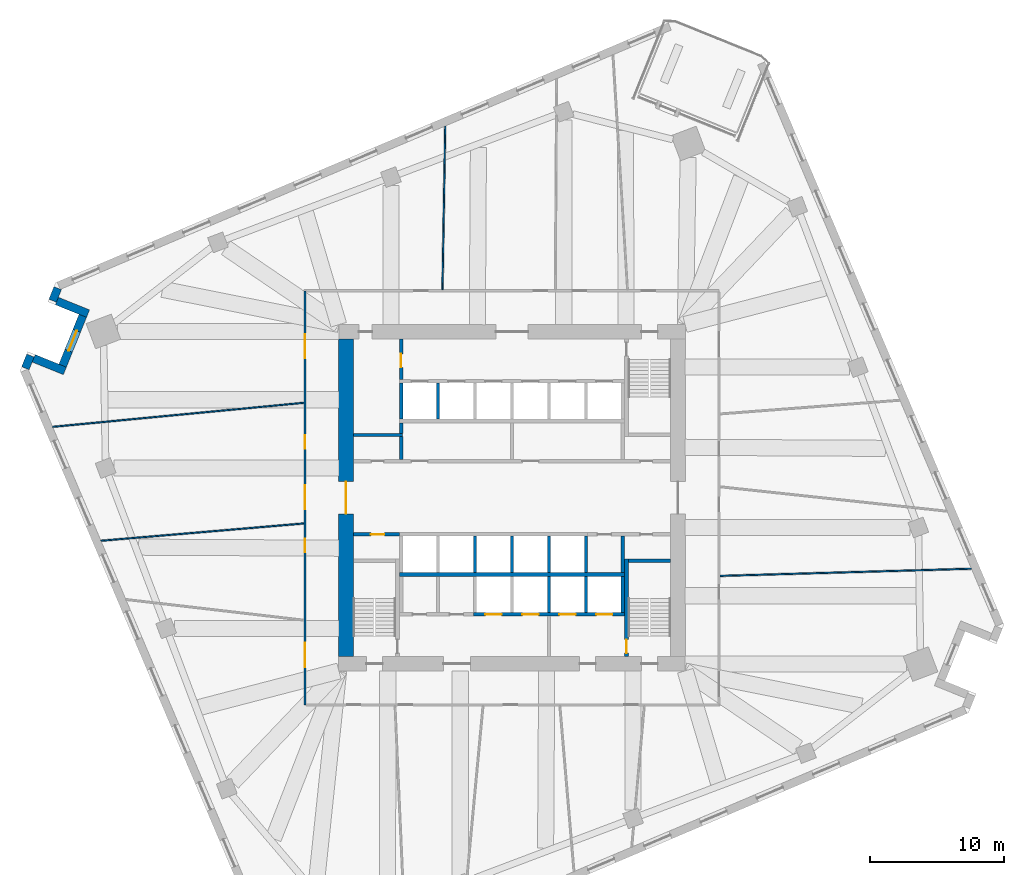
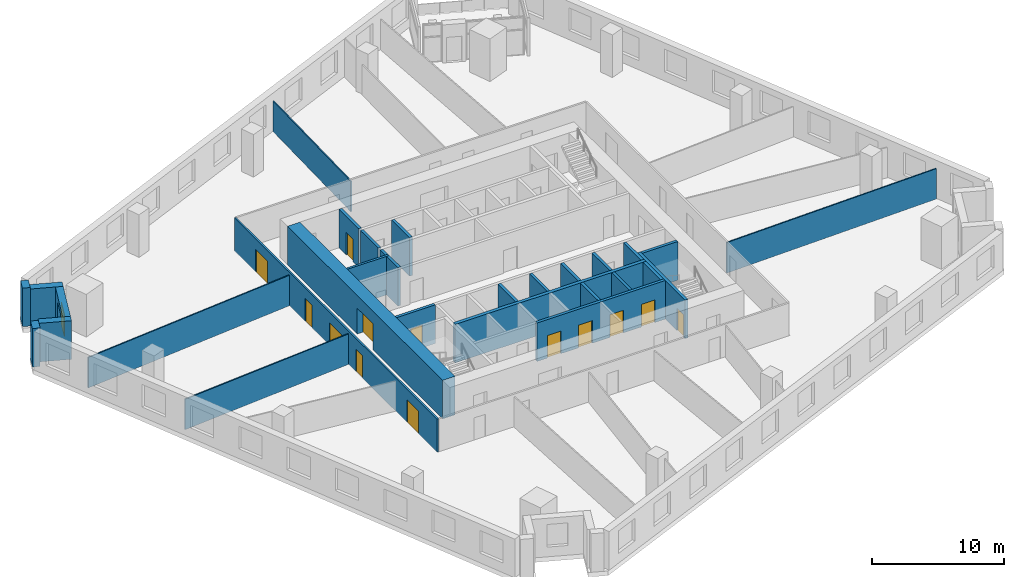
# One storey, part 7 of 12: 30 walls, 13 doors, 1 window, 14 openings.
"""IFC4 building model written with IfcOpenShell, lengths in metres."""

from ifc_helpers import new_model, si_unit, direction, frame, frame_2d, origin, place, context, subcontext, project, spatial, rectangle, extrude, material, layer, layer_set, type_object, element, fill, save


model = new_model("IFC4")

# Units and contexts
model_context = context("Model", 3, precision=1e-05, world=origin(), true_north=direction((0.0, 1.0)))
body_context = subcontext(model_context, "Body", "Model", "MODEL_VIEW")
ifc_project = project(units=[si_unit("LENGTHUNIT", "METRE"), si_unit("AREAUNIT", "SQUARE_METRE"), si_unit("VOLUMEUNIT", "CUBIC_METRE"), si_unit("PLANEANGLEUNIT", "RADIAN"), si_unit("MASSUNIT", "GRAM", prefix="KILO")], contexts=[model_context])

# Site, building, storey
site_placement = place(None, origin())
site = spatial("IfcSite", under=ifc_project, at=site_placement, CompositionType="ELEMENT")
building_placement = place(site_placement, origin())
building = spatial("IfcBuilding", under=site, at=building_placement, Name="Dilmun Exchange Tower", CompositionType="ELEMENT")
storey_placement = place(building_placement, frame((0.0, 0.0, 114.10009765625)))
storey = spatial("IfcBuildingStorey", under=building, at=storey_placement, Name="L26", CompositionType="ELEMENT", Elevation=114.10009765625)

# Walls
ifc_material_1 = material(Name="Concrete C40/50", Category="concrete")
ifc_layer_1 = layer(ifc_material_1, 0.199951171875)
ifc_layer_set_1 = layer_set([ifc_layer_1], Name="Concrete C40/50")
wall_type_1 = type_object("IfcWallType", Name="Core partition wall 200", PredefinedType="PARTITIONING", material=ifc_layer_set_1)
wall_1_placement = place(storey_placement, frame((-11.794921875, 4.675048828125, 0.0), z_axis=(0.0, 0.0, 1.0), x_axis=(1.0, 0.0, 0.0)))
element("IfcWall", 1, at=wall_1_placement, inside=storey, type_object=wall_type_1, Name="L26 core partition wall 12", PredefinedType="PARTITIONING", context=body_context, shape_type="SweptSolid", body=[
    extrude(rectangle(XDim=3.64501953125, YDim=0.199951171875, at=frame_2d((1.822509765625, 0.0))), origin(), (0.0, 0.0, 1.0), 3.579833984375),
])
ifc_layer_2 = layer(ifc_material_1, 0.25)
ifc_layer_set_2 = layer_set([ifc_layer_2], Name="Concrete C40/50")
wall_type_2 = type_object("IfcWallType", Name="Core partition wall 250", PredefinedType="PARTITIONING", material=ifc_layer_set_2)
wall_2_placement = place(storey_placement, frame((8.25, -5.544921875, 0.0), z_axis=(0.0, 0.0, 1.0), x_axis=(0.0, 1.0, 0.0)))
element("IfcWall", 2, at=wall_2_placement, inside=storey, type_object=wall_type_2, Name="L26 core partition wall 05", PredefinedType="PARTITIONING", context=body_context, shape_type="SweptSolid", body=[
    extrude(rectangle(XDim=2.68994140625, YDim=0.25, at=frame_2d((1.344970703125, 0.0))), origin(), (0.0, 0.0, 1.0), 3.579833984375),
])

# Wall, opening, door
wall_3_placement = place(storey_placement, frame((-11.794921875, -2.72509765625, 0.0), z_axis=(0.0, 0.0, 1.0), x_axis=(1.0, 0.0, 0.0)))
wall_3 = element("IfcWall", 3, at=wall_3_placement, inside=storey, type_object=wall_type_2, Name="L26 core partition wall 06", PredefinedType="PARTITIONING", context=body_context, shape_type="SweptSolid", body=[
    extrude(rectangle(XDim=3.4150390625, YDim=0.25, at=frame_2d((1.70751953125, 0.0))), origin(), (0.0, 0.0, 1.0), 3.579833984375),
])
opening_1_placement = place(wall_3_placement, frame((1.294921875, 0.0, 0.0)))
opening_1 = element("IfcOpeningElement", 4, at=opening_1_placement, cuts=wall_3, Name="Opening CD4", PredefinedType="OPENING", context=body_context, shape_type="SweptSolid", body=[
    extrude(rectangle(XDim=1.0, YDim=2.10009765625, at=frame_2d((0.5, 1.050048828125))), frame((0.0, 0.135009765625, 0.0), z_axis=(0.0, -1.0, 0.0), x_axis=(1.0, 0.0, 0.0)), (0.0, 0.0, 1.0), 0.27001953125),
])
ifc_material_2 = material(Name="Fire-rated steel door set", Category="steel")
door_type_1 = type_object("IfcDoorType", Name="Core room door 1000x2100", OperationType="SINGLE_SWING_LEFT", PredefinedType="DOOR", material=ifc_material_2)
door_1_placement = place(opening_1_placement, origin())
door_1 = element("IfcDoor", 5, at=door_1_placement, inside=storey, type_object=door_type_1, Name="L26 door Accessible WC", OperationType="SINGLE_SWING_LEFT", OverallHeight=2.10009765625, OverallWidth=1.0, PredefinedType="DOOR", context=body_context, shape_type="SweptSolid", body=[
    extrude(rectangle(XDim=1.0, YDim=2.10009765625, at=frame_2d((0.5, 1.050048828125))), frame((0.0, 0.02490234375, 0.0), z_axis=(0.0, -1.0, 0.0), x_axis=(1.0, 0.0, 0.0)), (0.0, 0.0, 1.0), 0.050048828125),
])
fill(opening_1, door_1)

# Walls
wall_4_placement = place(storey_placement, frame((-8.25, 2.85498046875, 0.0), z_axis=(0.0, 0.0, 1.0), x_axis=(0.0, 1.0, 0.0)))
element("IfcWall", 6, at=wall_4_placement, inside=storey, type_object=wall_type_2, Name="L26 core partition wall 09", PredefinedType="PARTITIONING", context=body_context, shape_type="SweptSolid", body=[
    extrude(rectangle(XDim=1.715087890625, YDim=0.25, at=frame_2d((0.857421875, 0.0))), origin(), (0.0, 0.0, 1.0), 3.579833984375),
])
wall_5_placement = place(storey_placement, frame((-8.25, 4.780029296875, 0.0), z_axis=(0.0, 0.0, 1.0), x_axis=(0.0, 1.0, 0.0)))
element("IfcWall", 7, at=wall_5_placement, inside=storey, type_object=wall_type_2, Name="L26 core partition wall 13", PredefinedType="PARTITIONING", context=body_context, shape_type="SweptSolid", body=[
    extrude(rectangle(XDim=0.764892578125, YDim=0.25, at=frame_2d((0.38232421875, 0.0))), origin(), (0.0, 0.0, 1.0), 3.579833984375),
])

# Wall, opening, door
wall_6_placement = place(storey_placement, frame((-8.25, 8.804931640625, 0.0), z_axis=(0.0, 0.0, 1.0), x_axis=(0.0, 1.0, 0.0)))
wall_6 = element("IfcWall", 8, at=wall_6_placement, inside=storey, type_object=wall_type_2, Name="L26 core partition wall 14", PredefinedType="PARTITIONING", context=body_context, shape_type="SweptSolid", body=[
    extrude(rectangle(XDim=2.989990234375, YDim=0.25, at=frame_2d((1.4951171875, 0.0))), origin(), (0.0, 0.0, 1.0), 3.579833984375),
])
opening_2_placement = place(wall_6_placement, frame((0.89501953125, 0.0, 0.0)))
opening_2 = element("IfcOpeningElement", 9, at=opening_2_placement, cuts=wall_6, Name="Opening CD4", PredefinedType="OPENING", context=body_context, shape_type="SweptSolid", body=[
    extrude(rectangle(XDim=1.0, YDim=2.10009765625, at=frame_2d((0.5, 1.050048828125))), frame((0.0, 0.135009765625, 0.0), z_axis=(0.0, -1.0, 0.0), x_axis=(1.0, 0.0, 0.0)), (0.0, 0.0, 1.0), 0.27001953125),
])
door_2_placement = place(opening_2_placement, origin())
door_2 = element("IfcDoor", 10, at=door_2_placement, inside=storey, type_object=door_type_1, Name="L26 door Building services room", OperationType="SINGLE_SWING_LEFT", OverallHeight=2.10009765625, OverallWidth=1.0, PredefinedType="DOOR", context=body_context, shape_type="SweptSolid", body=[
    extrude(rectangle(XDim=1.0, YDim=2.10009765625, at=frame_2d((0.5, 1.050048828125))), frame((0.0, 0.02490234375, 0.0), z_axis=(0.0, -1.0, 0.0), x_axis=(1.0, 0.0, 0.0)), (0.0, 0.0, 1.0), 0.050048828125),
])
fill(opening_2, door_2)

ifc_material_3 = material(Name="Concrete C80/95", Category="concrete")
ifc_layer_3 = layer(ifc_material_3, 1.10009765625)
ifc_layer_set_3 = layer_set([ifc_layer_3], Name="Concrete C80/95")
wall_type_3 = type_object("IfcWallType", Name="Core shear wall 1100 Concrete C80/95", PredefinedType="SHEAR", material=ifc_layer_set_3)
wall_7_placement = place(storey_placement, frame((-12.35009765625, -11.800048828125, 0.0), z_axis=(0.0, 0.0, 1.0), x_axis=(0.0, 1.0, 0.0)))
wall_7 = element("IfcWall", 11, at=wall_7_placement, inside=storey, type_object=wall_type_3, Name="L26 core shear wall W", PredefinedType="SHEAR", context=body_context, shape_type="SweptSolid", body=[
    extrude(rectangle(XDim=23.60009765625, YDim=1.10009765625, at=frame_2d((11.800048828125, 0.0))), origin(), (0.0, 0.0, 1.0), 3.579833984375),
])
opening_3_placement = place(wall_7_placement, frame((10.60009765625, 0.0, 0.0)))
opening_3 = element("IfcOpeningElement", 12, at=opening_3_placement, cuts=wall_7, Name="Opening CD1", PredefinedType="OPENING", context=body_context, shape_type="SweptSolid", body=[
    extrude(rectangle(XDim=2.39990234375, YDim=2.39990234375, at=frame_2d((1.199951171875, 1.199951171875))), frame((0.0, 0.56005859375, 0.0), z_axis=(0.0, -1.0, 0.0), x_axis=(1.0, 0.0, 0.0)), (0.0, 0.0, 1.0), 1.1201171875),
])
door_type_2 = type_object("IfcDoorType", Name="Core lobby door 2400x2400", OperationType="DOUBLE_DOOR_DOUBLE_SWING", PredefinedType="DOOR", material=ifc_material_2)
door_3_placement = place(opening_3_placement, origin())
door_3 = element("IfcDoor", 13, at=door_3_placement, inside=storey, type_object=door_type_2, Name="L26 door Central lift lobby", OperationType="SINGLE_SWING_LEFT", OverallHeight=2.39990234375, OverallWidth=2.39990234375, PredefinedType="DOOR", context=body_context, shape_type="SweptSolid", body=[
    extrude(rectangle(XDim=2.39990234375, YDim=2.39990234375, at=frame_2d((1.199951171875, 1.199951171875))), frame((0.0, 0.02490234375, 0.0), z_axis=(0.0, -1.0, 0.0), x_axis=(1.0, 0.0, 0.0)), (0.0, 0.0, 1.0), 0.050048828125),
])
fill(opening_3, door_3)

# Wall, openings, doors
ifc_material_4 = material(Name="Corridor wall 150")
ifc_layer_4 = layer(ifc_material_4, 0.14990234375)
ifc_layer_set_4 = layer_set([ifc_layer_4], Name="Corridor wall 150")
wall_type_4 = type_object("IfcWallType", Name="Corridor wall 150", PredefinedType="PARTITIONING", material=ifc_layer_set_4)
wall_8_placement = place(storey_placement, frame((-15.39990234375, -15.39990234375, 0.0), z_axis=(0.0, 0.0, 1.0), x_axis=(0.0, 1.0, 0.0)))
wall_8 = element("IfcWall", 14, at=wall_8_placement, inside=storey, type_object=wall_type_4, Name="Corridor wall", PredefinedType="PARTITIONING", context=body_context, shape_type="SweptSolid", body=[
    extrude(rectangle(XDim=30.7998046875, YDim=0.14990234375, at=frame_2d((15.39990234375, 0.0))), origin(), (0.0, 0.0, 1.0), 3.079833984375),
])
opening_4_placement = place(wall_8_placement, frame((14.541015625, 0.0, 0.0)))
opening_4 = element("IfcOpeningElement", 15, at=opening_4_placement, cuts=wall_8, Name="Opening TF26-D01", PredefinedType="OPENING", context=body_context, shape_type="SweptSolid", body=[
    extrude(rectangle(XDim=1.800048828125, YDim=2.10009765625, at=frame_2d((0.89990234375, 1.050048828125))), frame((0.0, 0.0849609375, 0.0), z_axis=(0.0, -1.0, 0.0), x_axis=(1.0, 0.0, 0.0)), (0.0, 0.0, 1.0), 0.169921875),
])
opening_5_placement = place(wall_8_placement, frame((19.041015625, 0.0, 0.0)))
opening_5 = element("IfcOpeningElement", 16, at=opening_5_placement, cuts=wall_8, Name="Opening TF26-D02", PredefinedType="OPENING", context=body_context, shape_type="SweptSolid", body=[
    extrude(rectangle(XDim=1.0, YDim=2.10009765625, at=frame_2d((0.5, 1.050048828125))), frame((0.0, 0.0849609375, 0.0), z_axis=(0.0, -1.0, 0.0), x_axis=(1.0, 0.0, 0.0)), (0.0, 0.0, 1.0), 0.169921875),
])
opening_6_placement = place(wall_8_placement, frame((11.33349609375, 0.0, 0.0)))
opening_6 = element("IfcOpeningElement", 17, at=opening_6_placement, cuts=wall_8, Name="Opening TF26-D03", PredefinedType="OPENING", context=body_context, shape_type="SweptSolid", body=[
    extrude(rectangle(XDim=1.0, YDim=2.10009765625, at=frame_2d((0.5, 1.050048828125))), frame((0.0, 0.0849609375, 0.0), z_axis=(0.0, -1.0, 0.0), x_axis=(1.0, 0.0, 0.0)), (0.0, 0.0, 1.0), 0.169921875),
])
opening_7_placement = place(wall_8_placement, frame((25.76953125, 0.0, 0.0)))
opening_7 = element("IfcOpeningElement", 18, at=opening_7_placement, cuts=wall_8, Name="Opening TF26-D04", PredefinedType="OPENING", context=body_context, shape_type="SweptSolid", body=[
    extrude(rectangle(XDim=1.800048828125, YDim=2.10009765625, at=frame_2d((0.89990234375, 1.050048828125))), frame((0.0, 0.0849609375, 0.0), z_axis=(0.0, -1.0, 0.0), x_axis=(1.0, 0.0, 0.0)), (0.0, 0.0, 1.0), 0.169921875),
])
opening_8_placement = place(wall_8_placement, frame((2.800048828125, 0.0, 0.0)))
opening_8 = element("IfcOpeningElement", 19, at=opening_8_placement, cuts=wall_8, Name="Opening TF26-D06", PredefinedType="OPENING", context=body_context, shape_type="SweptSolid", body=[
    extrude(rectangle(XDim=1.800048828125, YDim=2.10009765625, at=frame_2d((0.89990234375, 1.050048828125))), frame((0.0, 0.0849609375, 0.0), z_axis=(0.0, -1.0, 0.0), x_axis=(1.0, 0.0, 0.0)), (0.0, 0.0, 1.0), 0.169921875),
])
ifc_material_5 = material(Name="Fire door 1000 x 2100")
door_type_3 = type_object("IfcDoorType", Name="Fire door 1000 x 2100", OperationType="NOTDEFINED", PredefinedType="DOOR", material=ifc_material_5)
door_4_placement = place(opening_5_placement, origin())
door_4 = element("IfcDoor", 20, at=door_4_placement, inside=storey, type_object=door_type_3, Name="Door TF26-D02", OperationType="SINGLE_SWING_LEFT", OverallHeight=2.10009765625, OverallWidth=1.0, PredefinedType="DOOR", context=body_context, shape_type="SweptSolid", body=[
    extrude(rectangle(XDim=1.0, YDim=2.10009765625, at=frame_2d((0.5, 1.050048828125))), frame((0.0, 0.02490234375, 0.0), z_axis=(0.0, -1.0, 0.0), x_axis=(1.0, 0.0, 0.0)), (0.0, 0.0, 1.0), 0.050048828125),
])
fill(opening_5, door_4)
door_5_placement = place(opening_6_placement, origin())
door_5 = element("IfcDoor", 21, at=door_5_placement, inside=storey, type_object=door_type_3, Name="Door TF26-D03", OperationType="SINGLE_SWING_RIGHT", OverallHeight=2.10009765625, OverallWidth=1.0, PredefinedType="DOOR", context=body_context, shape_type="SweptSolid", body=[
    extrude(rectangle(XDim=1.0, YDim=2.10009765625, at=frame_2d((0.5, 1.050048828125))), frame((0.0, 0.02490234375, 0.0), z_axis=(0.0, -1.0, 0.0), x_axis=(1.0, 0.0, 0.0)), (0.0, 0.0, 1.0), 0.050048828125),
])
fill(opening_6, door_5)
ifc_material_6 = material(Name="Fire door pair 1800 x 2100")
door_type_4 = type_object("IfcDoorType", Name="Fire door pair 1800 x 2100", OperationType="NOTDEFINED", PredefinedType="DOOR", material=ifc_material_6)
door_6_placement = place(opening_4_placement, origin())
door_6 = element("IfcDoor", 22, at=door_6_placement, inside=storey, type_object=door_type_4, Name="Door TF26-D01", OperationType="DOUBLE_DOOR_SINGLE_SWING", OverallHeight=2.10009765625, OverallWidth=1.800048828125, PredefinedType="DOOR", context=body_context, shape_type="SweptSolid", body=[
    extrude(rectangle(XDim=1.800048828125, YDim=2.10009765625, at=frame_2d((0.89990234375, 1.050048828125))), frame((0.0, 0.02490234375, 0.0), z_axis=(0.0, -1.0, 0.0), x_axis=(1.0, 0.0, 0.0)), (0.0, 0.0, 1.0), 0.050048828125),
])
fill(opening_4, door_6)
door_7_placement = place(opening_7_placement, origin())
door_7 = element("IfcDoor", 23, at=door_7_placement, inside=storey, type_object=door_type_4, Name="Door TF26-D04", OperationType="DOUBLE_DOOR_SINGLE_SWING", OverallHeight=2.10009765625, OverallWidth=1.800048828125, PredefinedType="DOOR", context=body_context, shape_type="SweptSolid", body=[
    extrude(rectangle(XDim=1.800048828125, YDim=2.10009765625, at=frame_2d((0.89990234375, 1.050048828125))), frame((0.0, 0.02490234375, 0.0), z_axis=(0.0, -1.0, 0.0), x_axis=(1.0, 0.0, 0.0)), (0.0, 0.0, 1.0), 0.050048828125),
])
fill(opening_7, door_7)
door_8_placement = place(opening_8_placement, origin())
door_8 = element("IfcDoor", 24, at=door_8_placement, inside=storey, type_object=door_type_4, Name="Door TF26-D06", OperationType="DOUBLE_DOOR_SINGLE_SWING", OverallHeight=2.10009765625, OverallWidth=1.800048828125, PredefinedType="DOOR", context=body_context, shape_type="SweptSolid", body=[
    extrude(rectangle(XDim=1.800048828125, YDim=2.10009765625, at=frame_2d((0.89990234375, 1.050048828125))), frame((0.0, 0.02490234375, 0.0), z_axis=(0.0, -1.0, 0.0), x_axis=(1.0, 0.0, 0.0)), (0.0, 0.0, 1.0), 0.050048828125),
])
fill(opening_8, door_8)

# Walls
ifc_layer_5 = layer(ifc_material_1, 0.300048828125)
ifc_layer_set_5 = layer_set([ifc_layer_5], Name="Concrete C40/50")
wall_type_5 = type_object("IfcWallType", Name="Lift shaft shared wall 300", PredefinedType="SOLIDWALL", material=ifc_layer_set_5)
wall_9_placement = place(storey_placement, frame((-8.375, -5.699951171875, 0.0), z_axis=(0.0, 0.0, 1.0), x_axis=(1.0, 0.0, 0.0)))
element("IfcWall", 25, at=wall_9_placement, inside=storey, type_object=wall_type_5, Name="L26 lift shaft rear wall S", PredefinedType="SOLIDWALL", context=body_context, shape_type="SweptSolid", body=[
    extrude(rectangle(XDim=16.75, YDim=0.300048828125, at=frame_2d((8.375, 0.0))), origin(), (0.0, 0.0, 1.0), 3.579833984375),
])
ifc_layer_6 = layer(ifc_material_1, 0.25)
ifc_layer_set_6 = layer_set([ifc_layer_6], Name="Concrete C40/50")
wall_type_6 = type_object("IfcWallType", Name="Lift shaft wall 250", PredefinedType="SOLIDWALL", material=ifc_layer_set_6)
for number, where, z_axis, x_axis, name in (
    (26, (-8.25, 5.85009765625, 0.0), (0.0, 0.0, 1.0), (0.0, 1.0, 0.0), "L26 lift shaft divider N20"),
    (27, (-5.5, 5.85009765625, 0.0), (0.0, 0.0, 1.0), (0.0, 1.0, 0.0), "L26 lift shaft divider N21"),
    (28, (-2.75, -5.550048828125, 0.0), (0.0, 0.0, 1.0), (0.0, 1.0, 0.0), "L26 lift shaft divider S12"),
    (29, (0.0, -5.550048828125, 0.0), (0.0, 0.0, 1.0), (0.0, 1.0, 0.0), "L26 lift shaft divider S13"),
    (30, (2.75, -5.550048828125, 0.0), (0.0, 0.0, 1.0), (0.0, 1.0, 0.0), "L26 lift shaft divider S14"),
    (31, (5.5, -5.550048828125, 0.0), (0.0, 0.0, 1.0), (0.0, 1.0, 0.0), "L26 lift shaft divider S15"),
):
    element("IfcWall", number, at=place(storey_placement, frame(where, z_axis=z_axis, x_axis=x_axis)), inside=storey, type_object=wall_type_6, Name=name, PredefinedType="SOLIDWALL", context=body_context, shape_type="SweptSolid", body=[
        extrude(rectangle(XDim=2.699951171875, YDim=0.25, at=frame_2d((1.35009765625, 0.0))), origin(), (0.0, 0.0, 1.0), 3.579833984375),
    ])

# Wall, openings, doors
wall_10_placement = place(storey_placement, frame((-2.875, -8.675048828125, 0.0), z_axis=(0.0, 0.0, 1.0), x_axis=(1.0, 0.0, 0.0)))
wall_10 = element("IfcWall", 32, at=wall_10_placement, inside=storey, type_object=wall_type_6, Name="L26 lift shaft front wall S2", PredefinedType="SOLIDWALL", context=body_context, shape_type="SweptSolid", body=[
    extrude(rectangle(XDim=11.25, YDim=0.25, at=frame_2d((5.625, 0.0))), origin(), (0.0, 0.0, 1.0), 3.579833984375),
])
opening_9_placement = place(wall_10_placement, frame((0.89990234375, 0.0, 0.0)))
opening_9 = element("IfcOpeningElement", 33, at=opening_9_placement, cuts=wall_10, Name="Opening LD", PredefinedType="OPENING", context=body_context, shape_type="SweptSolid", body=[
    extrude(rectangle(XDim=1.199951171875, YDim=2.10009765625, at=frame_2d((0.60009765625, 1.050048828125))), frame((0.0, 0.135009765625, 0.0), z_axis=(0.0, -1.0, 0.0), x_axis=(1.0, 0.0, 0.0)), (0.0, 0.0, 1.0), 0.27001953125),
])
opening_10_placement = place(wall_10_placement, frame((3.64990234375, 0.0, 0.0)))
opening_10 = element("IfcOpeningElement", 34, at=opening_10_placement, cuts=wall_10, Name="Opening LD", PredefinedType="OPENING", context=body_context, shape_type="SweptSolid", body=[
    extrude(rectangle(XDim=1.199951171875, YDim=2.10009765625, at=frame_2d((0.60009765625, 1.050048828125))), frame((0.0, 0.135009765625, 0.0), z_axis=(0.0, -1.0, 0.0), x_axis=(1.0, 0.0, 0.0)), (0.0, 0.0, 1.0), 0.27001953125),
])
opening_11_placement = place(wall_10_placement, frame((6.39990234375, 0.0, 0.0)))
opening_11 = element("IfcOpeningElement", 35, at=opening_11_placement, cuts=wall_10, Name="Opening LD", PredefinedType="OPENING", context=body_context, shape_type="SweptSolid", body=[
    extrude(rectangle(XDim=1.199951171875, YDim=2.10009765625, at=frame_2d((0.60009765625, 1.050048828125))), frame((0.0, 0.135009765625, 0.0), z_axis=(0.0, -1.0, 0.0), x_axis=(1.0, 0.0, 0.0)), (0.0, 0.0, 1.0), 0.27001953125),
])
opening_12_placement = place(wall_10_placement, frame((9.14990234375, 0.0, 0.0)))
opening_12 = element("IfcOpeningElement", 36, at=opening_12_placement, cuts=wall_10, Name="Opening LD", PredefinedType="OPENING", context=body_context, shape_type="SweptSolid", body=[
    extrude(rectangle(XDim=1.199951171875, YDim=2.10009765625, at=frame_2d((0.60009765625, 1.050048828125))), frame((0.0, 0.135009765625, 0.0), z_axis=(0.0, -1.0, 0.0), x_axis=(1.0, 0.0, 0.0)), (0.0, 0.0, 1.0), 0.27001953125),
])
door_type_5 = type_object("IfcDoorType", Name="Lift landing door 1200x2100", OperationType="DOUBLE_DOOR_SLIDING", PredefinedType="DOOR", material=ifc_material_2)
door_9_placement = place(opening_9_placement, origin())
door_9 = element("IfcDoor", 37, at=door_9_placement, inside=storey, type_object=door_type_5, Name="L26 landing door SV1", OperationType="DOUBLE_DOOR_SLIDING", OverallHeight=2.10009765625, OverallWidth=1.199951171875, PredefinedType="DOOR", context=body_context, shape_type="SweptSolid", body=[
    extrude(rectangle(XDim=1.199951171875, YDim=2.10009765625, at=frame_2d((0.60009765625, 1.050048828125))), frame((0.0, 0.02490234375, 0.0), z_axis=(0.0, -1.0, 0.0), x_axis=(1.0, 0.0, 0.0)), (0.0, 0.0, 1.0), 0.050048828125),
])
fill(opening_9, door_9)
door_10_placement = place(opening_10_placement, origin())
door_10 = element("IfcDoor", 38, at=door_10_placement, inside=storey, type_object=door_type_5, Name="L26 landing door SV2", OperationType="DOUBLE_DOOR_SLIDING", OverallHeight=2.10009765625, OverallWidth=1.199951171875, PredefinedType="DOOR", context=body_context, shape_type="SweptSolid", body=[
    extrude(rectangle(XDim=1.199951171875, YDim=2.10009765625, at=frame_2d((0.60009765625, 1.050048828125))), frame((0.0, 0.02490234375, 0.0), z_axis=(0.0, -1.0, 0.0), x_axis=(1.0, 0.0, 0.0)), (0.0, 0.0, 1.0), 0.050048828125),
])
fill(opening_10, door_10)
door_11_placement = place(opening_11_placement, origin())
door_11 = element("IfcDoor", 39, at=door_11_placement, inside=storey, type_object=door_type_5, Name="L26 landing door FF1", OperationType="DOUBLE_DOOR_SLIDING", OverallHeight=2.10009765625, OverallWidth=1.199951171875, PredefinedType="DOOR", context=body_context, shape_type="SweptSolid", body=[
    extrude(rectangle(XDim=1.199951171875, YDim=2.10009765625, at=frame_2d((0.60009765625, 1.050048828125))), frame((0.0, 0.02490234375, 0.0), z_axis=(0.0, -1.0, 0.0), x_axis=(1.0, 0.0, 0.0)), (0.0, 0.0, 1.0), 0.050048828125),
])
fill(opening_11, door_11)
door_12_placement = place(opening_12_placement, origin())
door_12 = element("IfcDoor", 40, at=door_12_placement, inside=storey, type_object=door_type_5, Name="L26 landing door FF2", OperationType="DOUBLE_DOOR_SLIDING", OverallHeight=2.10009765625, OverallWidth=1.199951171875, PredefinedType="DOOR", context=body_context, shape_type="SweptSolid", body=[
    extrude(rectangle(XDim=1.199951171875, YDim=2.10009765625, at=frame_2d((0.60009765625, 1.050048828125))), frame((0.0, 0.02490234375, 0.0), z_axis=(0.0, -1.0, 0.0), x_axis=(1.0, 0.0, 0.0)), (0.0, 0.0, 1.0), 0.050048828125),
])
fill(opening_12, door_12)

# Walls
for number, where, z_axis, x_axis, name in (
    (41, (2.75, -8.550048828125, 0.0), (0.0, 0.0, 1.0), (0.0, 1.0, 0.0), "L26 lift shaft divider S24"),
    (42, (5.5, -8.550048828125, 0.0), (0.0, 0.0, 1.0), (0.0, 1.0, 0.0), "L26 lift shaft divider S25"),
    (43, (8.25, -8.550048828125, 0.0), (0.0, 0.0, 1.0), (0.0, 1.0, 0.0), "L26 lift shaft divider S26"),
):
    element("IfcWall", number, at=place(storey_placement, frame(where, z_axis=z_axis, x_axis=x_axis)), inside=storey, type_object=wall_type_6, Name=name, PredefinedType="SOLIDWALL", context=body_context, shape_type="SweptSolid", body=[
        extrude(rectangle(XDim=2.699951171875, YDim=0.25, at=frame_2d((1.35009765625, 0.0))), origin(), (0.0, 0.0, 1.0), 3.579833984375),
    ])
ifc_material_7 = material(Name="Partition 100")
ifc_layer_7 = layer(ifc_material_7, 0.10009765625)
ifc_layer_set_7 = layer_set([ifc_layer_7], Name="Partition 100")
wall_type_7 = type_object("IfcWallType", Name="Partition 100", PredefinedType="PARTITIONING", material=ifc_layer_set_7)
wall_11_placement = place(storey_placement, frame((-34.176025390625, 5.275146484375, 0.0), z_axis=(0.0, 0.0, 1.0), x_axis=(0.995446676351, 0.095320063694, 0.0)))
element("IfcWall", 44, at=wall_11_placement, inside=storey, type_object=wall_type_7, Name="Partition", PredefinedType="PARTITIONING", context=body_context, shape_type="SweptSolid", body=[
    extrude(rectangle(XDim=18.78173828125, YDim=0.10009765625, at=frame_2d((9.390869140625, 0.0))), origin(), (0.0, 0.0, 1.0), 2.829833984375),
])
wall_12_placement = place(storey_placement, frame((-30.57861328125, -3.2001953125, 0.0), z_axis=(0.0, 0.0, 1.0), x_axis=(0.996379708723, 0.085014563729, 0.0)))
element("IfcWall", 45, at=wall_12_placement, inside=storey, type_object=wall_type_7, Name="Partition", PredefinedType="PARTITIONING", context=body_context, shape_type="SweptSolid", body=[
    extrude(rectangle(XDim=15.154296875, YDim=0.10009765625, at=frame_2d((7.5771484375, 0.0))), origin(), (0.0, 0.0, 1.0), 2.829833984375),
])
wall_13_placement = place(storey_placement, frame((-5.173583984375, 15.475830078125, 0.0), z_axis=(0.0, 0.0, 1.0), x_axis=(0.016875741067, 0.999857594542, 0.0)))
element("IfcWall", 46, at=wall_13_placement, inside=storey, type_object=wall_type_7, Name="Partition", PredefinedType="PARTITIONING", context=body_context, shape_type="SweptSolid", body=[
    extrude(rectangle(XDim=12.18115234375, YDim=0.10009765625, at=frame_2d((6.090576171875, 0.0))), origin(), (0.0, 0.0, 1.0), 2.829833984375),
])
wall_14_placement = place(storey_placement, frame((15.476318359375, -5.814697265625, 0.0), z_axis=(0.0, 0.0, 1.0), x_axis=(0.99959082954, 0.028603732257, 0.0)))
element("IfcWall", 47, at=wall_14_placement, inside=storey, type_object=wall_type_7, Name="Partition", PredefinedType="PARTITIONING", context=body_context, shape_type="SweptSolid", body=[
    extrude(rectangle(XDim=18.709228515625, YDim=0.10009765625, at=frame_2d((9.3544921875, 0.0))), origin(), (0.0, 0.0, 1.0), 2.829833984375),
])
ifc_material_8 = material(Name="Precast concrete C50/60", Category="concrete")
ifc_layer_8 = layer(ifc_material_8, 0.60009765625)
ifc_layer_set_8 = layer_set([ifc_layer_8], Name="Precast concrete C50/60")
wall_type_8 = type_object("IfcWallType", Name="Precast stone-clad wall 600", PredefinedType="STANDARD", material=ifc_layer_set_8)
wall_15_placement = place(storey_placement, frame((-33.79638671875, 15.5927734375, 0.0), z_axis=(0.0, 0.0, 1.0), x_axis=(-0.374718526687, -0.92713862273, 0.0)))
element("IfcWall", 48, at=wall_15_placement, inside=storey, type_object=wall_type_8, Name="Facade wall L26-04", PredefinedType="STANDARD", context=body_context, shape_type="SweptSolid", body=[
    extrude(rectangle(XDim=1.01123046875, YDim=0.60009765625, at=frame_2d((0.505615234375, 0.0))), origin(), (0.0, 0.0, 1.0), 3.579833984375),
])
wall_16_placement = place(storey_placement, frame((-33.859619140625, 14.635498046875, 0.0), z_axis=(0.0, 0.0, 1.0), x_axis=(0.927177918056, -0.374621286461, 0.0)))
element("IfcWall", 49, at=wall_16_placement, inside=storey, type_object=wall_type_8, Name="Facade wall L26-05", PredefinedType="STANDARD", context=body_context, shape_type="SweptSolid", body=[
    extrude(rectangle(XDim=2.5, YDim=0.60009765625, at=frame_2d((1.25, 0.0))), origin(), (0.0, 0.0, 1.0), 3.579833984375),
])

# Wall, opening, window
wall_17_placement = place(storey_placement, frame((-31.93212890625, 13.533203125, 0.0), z_axis=(0.0, 0.0, 1.0), x_axis=(-0.374629554127, -0.927174577507, 0.0)))
wall_17 = element("IfcWall", 50, at=wall_17_placement, inside=storey, type_object=wall_type_8, Name="Facade wall L26-06", PredefinedType="STANDARD", context=body_context, shape_type="SweptSolid", body=[
    extrude(rectangle(XDim=4.0, YDim=0.60009765625, at=frame_2d((2.0, 0.0))), origin(), (0.0, 0.0, 1.0), 3.579833984375),
])
opening_13_placement = place(wall_17_placement, frame((1.199951171875, 0.0, 0.89990234375)))
opening_13 = element("IfcOpeningElement", 51, at=opening_13_placement, cuts=wall_17, Name="Opening W160-210", PredefinedType="OPENING", context=body_context, shape_type="SweptSolid", body=[
    extrude(rectangle(XDim=1.60009765625, YDim=2.10009765625, at=frame_2d((0.800048828125, 1.050048828125))), frame((0.0, 0.31005859375, 0.0), z_axis=(0.0, -1.0, 0.0), x_axis=(1.0, 0.0, 0.0)), (0.0, 0.0, 1.0), 0.6201171875),
])
ifc_material_9 = material(Name="Clear low-emissivity glass in aluminium frame", Category="aluminium")
window_type = type_object("IfcWindowType", Name="Punched window 1600 x 2100", PartitioningType="DOUBLE_PANEL_VERTICAL", PredefinedType="WINDOW", material=ifc_material_9)
window_placement = place(opening_13_placement, origin())
window = element("IfcWindow", 52, at=window_placement, inside=storey, type_object=window_type, Name="Window 7.1", OverallHeight=2.10009765625, OverallWidth=1.60009765625, PartitioningType="SINGLE_PANEL", PredefinedType="WINDOW", context=body_context, shape_type="SweptSolid", body=[
    extrude(rectangle(XDim=1.60009765625, YDim=2.10009765625, at=frame_2d((0.800048828125, 1.050048828125))), frame((0.0, 0.030029296875, 0.0), z_axis=(0.0, -1.0, 0.0), x_axis=(1.0, 0.0, 0.0)), (0.0, 0.0, 1.0), 0.06005859375),
])
fill(opening_13, window)

# Walls
wall_18_placement = place(storey_placement, frame((-33.264892578125, 9.43408203125, 0.0), z_axis=(0.0, 0.0, 1.0), x_axis=(-0.927177918056, 0.374621286461, 0.0)))
element("IfcWall", 53, at=wall_18_placement, inside=storey, type_object=wall_type_8, Name="Facade wall L26-07", PredefinedType="STANDARD", context=body_context, shape_type="SweptSolid", body=[
    extrude(rectangle(XDim=2.5, YDim=0.60009765625, at=frame_2d((1.25, 0.0))), origin(), (0.0, 0.0, 1.0), 3.579833984375),
])
wall_19_placement = place(storey_placement, frame((-35.823486328125, 10.57568359375, 0.0), z_axis=(0.0, 0.0, 1.0), x_axis=(-0.374634662987, -0.92717251323, 0.0)))
element("IfcWall", 54, at=wall_19_placement, inside=storey, type_object=wall_type_8, Name="Facade wall L26-08", PredefinedType="STANDARD", context=body_context, shape_type="SweptSolid", body=[
    extrude(rectangle(XDim=1.011474609375, YDim=0.60009765625, at=frame_2d((0.505859375, 0.0))), origin(), (0.0, 0.0, 1.0), 3.579833984375),
])
ifc_layer_9 = layer(ifc_material_1, 0.25)
ifc_layer_set_9 = layer_set([ifc_layer_9], Name="Concrete C40/50")
wall_type_9 = type_object("IfcWallType", Name="Stair end wall 250", PredefinedType="SOLIDWALL", material=ifc_layer_set_9)
wall_20_placement = place(storey_placement, frame((8.64990234375, -4.675048828125, 0.0), z_axis=(0.0, 0.0, 1.0), x_axis=(1.0, 0.0, 0.0)))
element("IfcWall", 55, at=wall_20_placement, inside=storey, type_object=wall_type_9, Name="L26 ST3 far wall", PredefinedType="SOLIDWALL", context=body_context, shape_type="SweptSolid", body=[
    extrude(rectangle(XDim=3.150146484375, YDim=0.25, at=frame_2d((1.5751953125, 0.0))), origin(), (0.0, 0.0, 1.0), 3.579833984375),
])

# Wall, opening, door
ifc_layer_10 = layer(ifc_material_1, 0.27490234375)
ifc_layer_set_10 = layer_set([ifc_layer_10], Name="Concrete C40/50")
wall_type_10 = type_object("IfcWallType", Name="Stair wall 275", PredefinedType="SOLIDWALL", material=ifc_layer_set_10)
wall_21_placement = place(storey_placement, frame((8.512451171875, -4.550048828125, 0.0), z_axis=(0.0, 0.0, 1.0), x_axis=(0.0, -1.0, 0.0)))
wall_21 = element("IfcWall", 56, at=wall_21_placement, inside=storey, type_object=wall_type_10, Name="L26 ST3 wall to lift block", PredefinedType="SOLIDWALL", context=body_context, shape_type="SweptSolid", body=[
    extrude(rectangle(XDim=7.25, YDim=0.27490234375, at=frame_2d((3.625, 0.0))), origin(), (0.0, 0.0, 1.0), 3.579833984375),
])
opening_14_placement = place(wall_21_placement, frame((6.0, 0.0, 0.0)))
opening_14 = element("IfcOpeningElement", 57, at=opening_14_placement, cuts=wall_21, Name="Opening CD4", PredefinedType="OPENING", context=body_context, shape_type="SweptSolid", body=[
    extrude(rectangle(XDim=1.0, YDim=2.10009765625, at=frame_2d((0.5, 1.050048828125))), frame((0.0, 0.1474609375, 0.0), z_axis=(0.0, -1.0, 0.0), x_axis=(1.0, 0.0, 0.0)), (0.0, 0.0, 1.0), 0.294921875),
])
door_13_placement = place(opening_14_placement, origin())
door_13 = element("IfcDoor", 58, at=door_13_placement, inside=storey, type_object=door_type_1, Name="L26 door ST3 from lobby", OperationType="SINGLE_SWING_LEFT", OverallHeight=2.10009765625, OverallWidth=1.0, PredefinedType="DOOR", context=body_context, shape_type="SweptSolid", body=[
    extrude(rectangle(XDim=1.0, YDim=2.10009765625, at=frame_2d((0.5, 1.050048828125))), frame((0.0, 0.02490234375, 0.0), z_axis=(0.0, -1.0, 0.0), x_axis=(1.0, 0.0, 0.0)), (0.0, 0.0, 1.0), 0.050048828125),
])
fill(opening_14, door_13)

save(model, "model.ifc")
